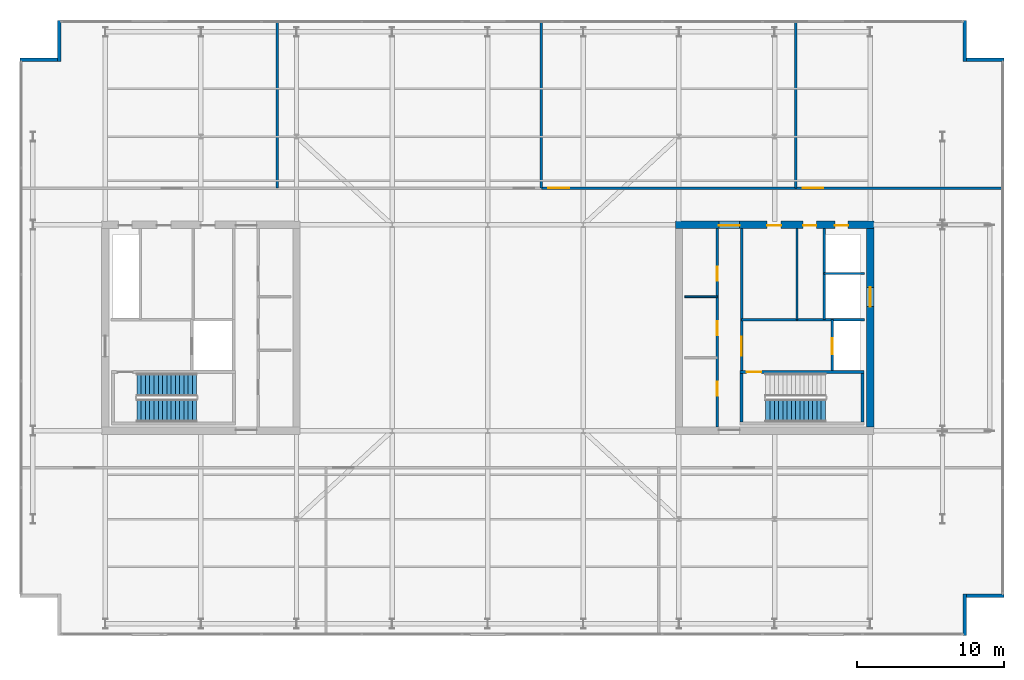
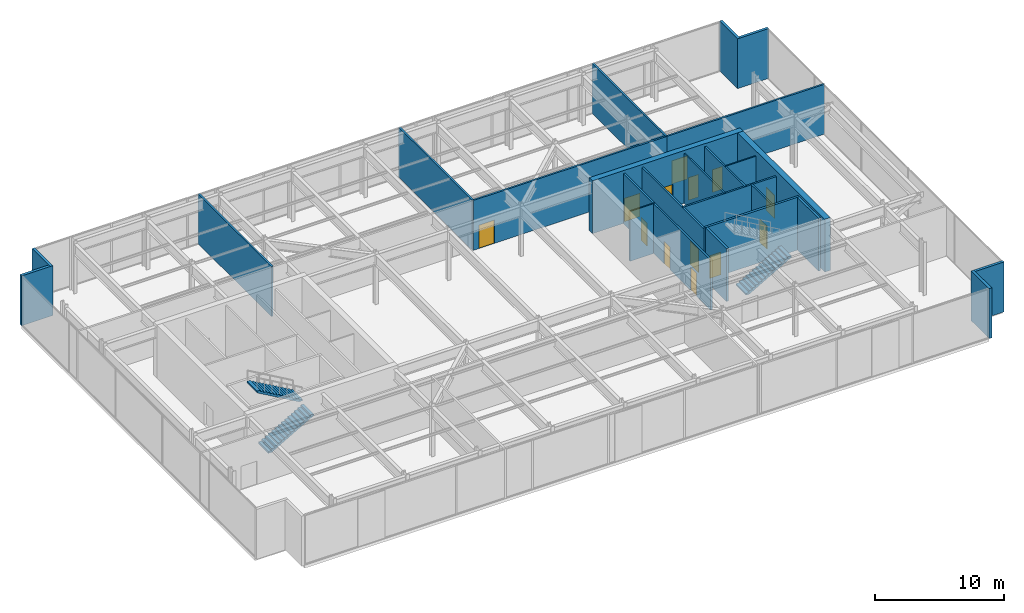
# One storey, part 19 of 23: 24 walls, 13 doors, 3 stair flights, 13 openings, 2 elements without a shape of their own.
"""IFC4 building model written with IfcOpenShell, lengths in metres."""

from ifc_helpers import new_model, si_unit, direction, frame, frame_2d, origin, place, context, subcontext, project, spatial, polyline, rectangle, outline, extrude, material, layer, layer_set, type_object, element, fill, aggregate, save


model = new_model("IFC4")

# Units and contexts
model_context = context("Model", 3, precision=1e-05, world=origin(), true_north=direction((0.0, 1.0)))
body_context = subcontext(model_context, "Body", "Model", "MODEL_VIEW")
ifc_project = project(units=[si_unit("LENGTHUNIT", "METRE"), si_unit("AREAUNIT", "SQUARE_METRE"), si_unit("VOLUMEUNIT", "CUBIC_METRE"), si_unit("PLANEANGLEUNIT", "RADIAN"), si_unit("MASSUNIT", "GRAM", prefix="KILO")], contexts=[model_context])

# Site, building, storey
site_placement = place(None, origin())
site = spatial("IfcSite", under=ifc_project, at=site_placement, CompositionType="ELEMENT")
building_placement = place(site_placement, origin())
building = spatial("IfcBuilding", under=site, at=building_placement, Name="Putna Gate Headquarters", CompositionType="ELEMENT")
storey_placement = place(building_placement, frame((0.0, 0.0, 310.39990234375)))
storey = spatial("IfcBuildingStorey", under=building, at=storey_placement, Name="L78", CompositionType="ELEMENT", Elevation=310.39990234375)

# Wall, openings, doors
ifc_material_1 = material(Name="Concrete C50/60", Category="concrete")
ifc_layer_1 = layer(ifc_material_1, 0.5)
ifc_layer_set_1 = layer_set([ifc_layer_1], Name="Concrete C50/60")
wall_type_1 = type_object("IfcWallType", Name="WALL-CORE-500", PredefinedType="SHEAR", material=ifc_layer_set_1)
wall_1_placement = place(storey_placement, frame((51.75, 33.0, 0.0), z_axis=(0.0, 0.0, 1.0), x_axis=(1.0, 0.0, 0.0)))
wall_1 = element("IfcWall", 1, at=wall_1_placement, inside=storey, type_object=wall_type_1, Name="L78 EC Split Core Shear Wall N", PredefinedType="SHEAR", context=body_context, shape_type="SweptSolid", body=[
    extrude(rectangle(XDim=13.5, YDim=0.5, at=frame_2d((6.75, 0.0))), origin(), (0.0, 0.0, 1.0), 5.0),
])
opening_1_placement = place(wall_1_placement, frame((2.969970703125, 0.0, 0.0)))
opening_1 = element("IfcOpeningElement", 2, at=opening_1_placement, cuts=wall_1, Name="Opening FDD-140", PredefinedType="OPENING", context=body_context, shape_type="SweptSolid", body=[
    extrude(rectangle(XDim=1.39990234375, YDim=2.199951171875, at=frame_2d((0.699951171875, 1.10009765625))), frame((0.0, 0.260009765625, 0.0), z_axis=(0.0, -1.0, 0.0), x_axis=(1.0, 0.0, 0.0)), (0.0, 0.0, 1.0), 0.52001953125),
])
opening_2_placement = place(wall_1_placement, frame((10.85009765625, 0.0, 0.0)))
opening_2 = element("IfcOpeningElement", 3, at=opening_2_placement, cuts=wall_1, Name="Opening RD-90", PredefinedType="OPENING", context=body_context, shape_type="SweptSolid", body=[
    extrude(rectangle(XDim=0.89990234375, YDim=2.14990234375, at=frame_2d((0.449951171875, 1.074951171875))), frame((0.0, 0.260009765625, 0.0), z_axis=(0.0, -1.0, 0.0), x_axis=(1.0, 0.0, 0.0)), (0.0, 0.0, 1.0), 0.52001953125),
])
opening_3_placement = place(wall_1_placement, frame((6.25, 0.0, 0.0)))
opening_3 = element("IfcOpeningElement", 4, at=opening_3_placement, cuts=wall_1, Name="Opening IDS-95", PredefinedType="OPENING", context=body_context, shape_type="SweptSolid", body=[
    extrude(rectangle(XDim=0.949951171875, YDim=2.14990234375, at=frame_2d((0.47509765625, 1.074951171875))), frame((0.0, 0.260009765625, 0.0), z_axis=(0.0, -1.0, 0.0), x_axis=(1.0, 0.0, 0.0)), (0.0, 0.0, 1.0), 0.52001953125),
])
opening_4_placement = place(wall_1_placement, frame((8.699951171875, 0.0, 0.0)))
opening_4 = element("IfcOpeningElement", 5, at=opening_4_placement, cuts=wall_1, Name="Opening IDS-90", PredefinedType="OPENING", context=body_context, shape_type="SweptSolid", body=[
    extrude(rectangle(XDim=0.89990234375, YDim=2.14990234375, at=frame_2d((0.449951171875, 1.074951171875))), frame((0.0, 0.260009765625, 0.0), z_axis=(0.0, -1.0, 0.0), x_axis=(1.0, 0.0, 0.0)), (0.0, 0.0, 1.0), 0.52001953125),
])
ifc_material_2 = material(Name="Double steel fire door", Category="steel")
door_type_1 = type_object("IfcDoorType", Name="DOOR-FIRE-DBL-1400", OperationType="DOUBLE_DOOR_SINGLE_SWING", PredefinedType="DOOR", material=ifc_material_2)
door_1_placement = place(opening_1_placement, origin())
door_1 = element("IfcDoor", 6, at=door_1_placement, inside=storey, type_object=door_type_1, Name="L78 East Lift Lobby North Door", OperationType="DOUBLE_DOOR_SINGLE_SWING", OverallHeight=2.199951171875, OverallWidth=1.39990234375, PredefinedType="DOOR", context=body_context, shape_type="SweptSolid", body=[
    extrude(rectangle(XDim=1.39990234375, YDim=2.199951171875, at=frame_2d((0.699951171875, 1.10009765625))), frame((0.0, -0.02490234375, 0.0), z_axis=(0.0, -1.0, 0.0), x_axis=(1.0, 0.0, 0.0)), (0.0, 0.0, 1.0), 0.050048828125),
])
fill(opening_1, door_1)
ifc_material_3 = material(Name="Fire-rated utility door")
door_type_2 = type_object("IfcDoorType", Name="DOOR-INT-900", OperationType="NOTDEFINED", PredefinedType="DOOR", material=ifc_material_3)
door_2_placement = place(opening_4_placement, origin())
door_2 = element("IfcDoor", 7, at=door_2_placement, inside=storey, type_object=door_type_2, Name="L78 Electrical Plant Door", OperationType="SINGLE_SWING_LEFT", OverallHeight=2.14990234375, OverallWidth=0.89990234375, PredefinedType="DOOR", context=body_context, shape_type="SweptSolid", body=[
    extrude(rectangle(XDim=0.89990234375, YDim=2.14990234375, at=frame_2d((0.449951171875, 1.074951171875))), frame((0.0, -0.02490234375, 0.0), z_axis=(0.0, -1.0, 0.0), x_axis=(1.0, 0.0, 0.0)), (0.0, 0.0, 1.0), 0.050048828125),
])
fill(opening_4, door_2)
ifc_material_4 = material(Name="Fire-rated service timber door", Category="wood")
door_type_3 = type_object("IfcDoorType", Name="DOOR-INT-950", OperationType="NOTDEFINED", PredefinedType="DOOR", material=ifc_material_4)
door_3_placement = place(opening_3_placement, origin())
door_3 = element("IfcDoor", 8, at=door_3_placement, inside=storey, type_object=door_type_3, Name="L78 East Store Door", OperationType="SINGLE_SWING_RIGHT", OverallHeight=2.14990234375, OverallWidth=0.949951171875, PredefinedType="DOOR", context=body_context, shape_type="SweptSolid", body=[
    extrude(rectangle(XDim=0.949951171875, YDim=2.14990234375, at=frame_2d((0.47509765625, 1.074951171875))), frame((0.0, -0.02490234375, 0.0), z_axis=(0.0, -1.0, 0.0), x_axis=(1.0, 0.0, 0.0)), (0.0, 0.0, 1.0), 0.050048828125),
])
fill(opening_3, door_3)
ifc_material_5 = material(Name="Steel riser access fire door", Category="steel")
door_type_4 = type_object("IfcDoorType", Name="DOOR-RISER-900", OperationType="NOTDEFINED", PredefinedType="DOOR", material=ifc_material_5)
door_4_placement = place(opening_2_placement, origin())
door_4 = element("IfcDoor", 9, at=door_4_placement, inside=storey, type_object=door_type_4, Name="L78 East Riser Access Door", OperationType="SINGLE_SWING_LEFT", OverallHeight=2.14990234375, OverallWidth=0.89990234375, PredefinedType="DOOR", context=body_context, shape_type="SweptSolid", body=[
    extrude(rectangle(XDim=0.89990234375, YDim=2.14990234375, at=frame_2d((0.449951171875, 1.074951171875))), frame((0.0, -0.02490234375, 0.0), z_axis=(0.0, -1.0, 0.0), x_axis=(1.0, 0.0, 0.0)), (0.0, 0.0, 1.0), 0.050048828125),
])
fill(opening_2, door_4)

# Wall, opening, door
wall_2_placement = place(storey_placement, frame((65.0, 19.25, 0.0), z_axis=(0.0, 0.0, 1.0), x_axis=(0.0, 1.0, 0.0)))
wall_2 = element("IfcWall", 10, at=wall_2_placement, inside=storey, type_object=wall_type_1, Name="L78 EC Split Core Shear Wall E", PredefinedType="SHEAR", context=body_context, shape_type="SweptSolid", body=[
    extrude(rectangle(XDim=13.5, YDim=0.5, at=frame_2d((6.75, 0.0))), origin(), (0.0, 0.0, 1.0), 5.0),
])
opening_5_placement = place(wall_2_placement, frame((8.199951171875, 0.0, 0.0)))
opening_5 = element("IfcOpeningElement", 11, at=opening_5_placement, cuts=wall_2, Name="Opening LD-2", PredefinedType="OPENING", context=body_context, shape_type="SweptSolid", body=[
    extrude(rectangle(XDim=1.300048828125, YDim=2.199951171875, at=frame_2d((0.64990234375, 1.10009765625))), frame((0.0, 0.260009765625, 0.0), z_axis=(0.0, -1.0, 0.0), x_axis=(1.0, 0.0, 0.0)), (0.0, 0.0, 1.0), 0.52001953125),
])
ifc_material_6 = material(Name="Heavy-duty goods lift sliding landing door")
door_type_5 = type_object("IfcDoorType", Name="DOOR-LIFT-1300", OperationType="DOUBLE_DOOR_SLIDING", PredefinedType="DOOR", material=ifc_material_6)
door_5_placement = place(opening_5_placement, origin())
door_5 = element("IfcDoor", 12, at=door_5_placement, inside=storey, type_object=door_type_5, Name="L78 Goods Lift Landing Door LD-15", OperationType="DOUBLE_DOOR_SLIDING", OverallHeight=2.199951171875, OverallWidth=1.300048828125, PredefinedType="DOOR", context=body_context, shape_type="SweptSolid", body=[
    extrude(rectangle(XDim=1.300048828125, YDim=2.199951171875, at=frame_2d((0.64990234375, 1.10009765625))), frame((0.0, 0.02490234375, 0.0), z_axis=(0.0, -1.0, 0.0), x_axis=(1.0, 0.0, 0.0)), (0.0, 0.0, 1.0), 0.050048828125),
])
fill(opening_5, door_5)

# Walls
ifc_material_7 = material(Name="Precast concrete C40/50", Category="concrete")
ifc_layer_2 = layer(ifc_material_7, 0.239990234375)
ifc_layer_set_2 = layer_set([ifc_layer_2], Name="Precast concrete C40/50")
wall_type_2 = type_object("IfcWallType", Name="WALL-EXT-TERR-240", PredefinedType="STANDARD", material=ifc_layer_set_2)
wall_3_placement = place(storey_placement, frame((9.8798828125, 44.10009765625, 0.0), z_axis=(0.0, 0.0, 1.0), x_axis=(0.0, 1.0, 0.0)))
element("IfcWall", 13, at=wall_3_placement, inside=storey, type_object=wall_type_2, Name="L78 Corner Notch Return Wall NW-V", PredefinedType="STANDARD", context=body_context, shape_type="SweptSolid", body=[
    extrude(rectangle(XDim=2.7998046875, YDim=0.239990234375, at=frame_2d((1.39990234375, 0.0))), origin(), (0.0, 0.0, 1.0), 4.72021484375),
])
wall_4_placement = place(storey_placement, frame((7.199951171875, 44.219970703125, 0.0), z_axis=(0.0, 0.0, 1.0), x_axis=(1.0, 0.0, 0.0)))
element("IfcWall", 14, at=wall_4_placement, inside=storey, type_object=wall_type_2, Name="L78 Corner Notch Return Wall NW-H", PredefinedType="STANDARD", context=body_context, shape_type="SweptSolid", body=[
    extrude(rectangle(XDim=2.800048828125, YDim=0.239990234375, at=frame_2d((1.39990234375, 0.0))), origin(), (0.0, 0.0, 1.0), 4.72021484375),
])
wall_5_placement = place(storey_placement, frame((71.419921875, 46.89990234375, 0.0), z_axis=(0.0, 0.0, 1.0), x_axis=(0.0, -1.0, 0.0)))
element("IfcWall", 15, at=wall_5_placement, inside=storey, type_object=wall_type_2, Name="L78 Corner Notch Return Wall NE-V", PredefinedType="STANDARD", context=body_context, shape_type="SweptSolid", body=[
    extrude(rectangle(XDim=2.7998046875, YDim=0.239990234375, at=frame_2d((1.39990234375, 0.0))), origin(), (0.0, 0.0, 1.0), 4.72021484375),
])
wall_6_placement = place(storey_placement, frame((71.300048828125, 44.219970703125, 0.0), z_axis=(0.0, 0.0, 1.0), x_axis=(1.0, 0.0, 0.0)))
element("IfcWall", 16, at=wall_6_placement, inside=storey, type_object=wall_type_2, Name="L78 Corner Notch Return Wall NE-H", PredefinedType="STANDARD", context=body_context, shape_type="SweptSolid", body=[
    extrude(rectangle(XDim=2.800048828125, YDim=0.239990234375, at=frame_2d((1.39990234375, 0.0))), origin(), (0.0, 0.0, 1.0), 4.72021484375),
])
wall_7_placement = place(storey_placement, frame((71.419921875, 7.89990234375, 0.0), z_axis=(0.0, 0.0, 1.0), x_axis=(0.0, -1.0, 0.0)))
element("IfcWall", 17, at=wall_7_placement, inside=storey, type_object=wall_type_2, Name="L78 Corner Notch Return Wall SE-V", PredefinedType="STANDARD", context=body_context, shape_type="SweptSolid", body=[
    extrude(rectangle(XDim=2.7998046875, YDim=0.239990234375, at=frame_2d((1.39990234375, 0.0))), origin(), (0.0, 0.0, 1.0), 4.72021484375),
])
wall_8_placement = place(storey_placement, frame((74.10009765625, 7.780029296875, 0.0), z_axis=(0.0, 0.0, 1.0), x_axis=(-1.0, 0.0, 0.0)))
element("IfcWall", 18, at=wall_8_placement, inside=storey, type_object=wall_type_2, Name="L78 Corner Notch Return Wall SE-H", PredefinedType="STANDARD", context=body_context, shape_type="SweptSolid", body=[
    extrude(rectangle(XDim=2.800048828125, YDim=0.239990234375, at=frame_2d((1.39990234375, 0.0))), origin(), (0.0, 0.0, 1.0), 4.72021484375),
])
ifc_material_8 = material(Name="Fire-rated shaftwall gypsum board on metal stud")
ifc_layer_3 = layer(ifc_material_8, 0.1201171875)
ifc_layer_set_3 = layer_set([ifc_layer_3], Name="Fire-rated shaftwall gypsum board on metal stud")
wall_type_3 = type_object("IfcWallType", Name="WALL-PART-120-EI120", PredefinedType="PARTITIONING", material=ifc_layer_set_3)
wall_9_placement = place(storey_placement, frame((61.8701171875, 29.699951171875, 0.0), z_axis=(0.0, 0.0, 1.0), x_axis=(1.0, 0.0, 0.0)))
element("IfcWall", 19, at=wall_9_placement, inside=storey, type_object=wall_type_3, Name="L78 Interior Wall CWINT-L78-EC-LF15-N", PredefinedType="PARTITIONING", context=body_context, shape_type="SweptSolid", body=[
    extrude(rectangle(XDim=2.72998046875, YDim=0.1201171875, at=frame_2d((1.364990234375, 0.0))), origin(), (0.0, 0.0, 1.0), 4.72021484375),
])
ifc_material_9 = material(Name="Fire-rated gypsum board on metal stud")
ifc_layer_4 = layer(ifc_material_9, 0.1201171875)
ifc_layer_set_4 = layer_set([ifc_layer_4], Name="Fire-rated gypsum board on metal stud")
wall_type_4 = type_object("IfcWallType", Name="WALL-PART-120-RATED", PredefinedType="PARTITIONING", material=ifc_layer_set_4)
wall_10_placement = place(storey_placement, frame((52.39990234375, 28.1201171875, 0.0), z_axis=(0.0, 0.0, 1.0), x_axis=(1.0, 0.0, 0.0)))
element("IfcWall", 20, at=wall_10_placement, inside=storey, type_object=wall_type_4, Name="L78 Interior Wall CWINT-L78-EC-LF08-DIV", PredefinedType="PARTITIONING", context=body_context, shape_type="SweptSolid", body=[
    extrude(rectangle(XDim=2.2001953125, YDim=0.1201171875, at=frame_2d((1.10009765625, 0.0))), origin(), (0.0, 0.0, 1.0), 4.72021484375),
])
wall_11_placement = place(storey_placement, frame((60.02001953125, 26.56005859375, 0.0), z_axis=(0.0, 0.0, 1.0), x_axis=(0.0, 1.0, 0.0)))
element("IfcWall", 21, at=wall_11_placement, inside=storey, type_object=wall_type_4, Name="L78 Interior Wall CWINT-L78-EC-K0-DIV", PredefinedType="PARTITIONING", context=body_context, shape_type="SweptSolid", body=[
    extrude(rectangle(XDim=6.18994140625, YDim=0.1201171875, at=frame_2d((3.094970703125, 0.0))), origin(), (0.0, 0.0, 1.0), 4.72021484375),
])

# Wall, openings, doors
ifc_material_10 = material(Name="Concrete C40/50", Category="concrete")
ifc_layer_5 = layer(ifc_material_10, 0.159912109375)
ifc_layer_set_5 = layer_set([ifc_layer_5], Name="Concrete C40/50")
wall_type_5 = type_object("IfcWallType", Name="WALL-SHAFT-160", PredefinedType="STANDARD", material=ifc_layer_set_5)
wall_12_placement = place(storey_placement, frame((54.60009765625, 19.25, 0.0), z_axis=(0.0, 0.0, 1.0), x_axis=(0.0, 1.0, 0.0)))
wall_12 = element("IfcWall", 22, at=wall_12_placement, inside=storey, type_object=wall_type_5, Name="L78 Interior Wall CWINT-L78-EC-PL-WALL", PredefinedType="STANDARD", context=body_context, shape_type="SweptSolid", body=[
    extrude(rectangle(XDim=13.5, YDim=0.159912109375, at=frame_2d((6.75, 0.0))), origin(), (0.0, 0.0, 1.0), 4.72021484375),
])
opening_6_placement = place(wall_12_placement, frame((2.14990234375, 0.0, 0.0)))
opening_6 = element("IfcOpeningElement", 23, at=opening_6_placement, cuts=wall_12, Name="Opening IDS-95", PredefinedType="OPENING", context=body_context, shape_type="SweptSolid", body=[
    extrude(rectangle(XDim=0.949951171875, YDim=2.14990234375, at=frame_2d((0.47509765625, 1.074951171875))), frame((0.0, 0.08984375, 0.0), z_axis=(0.0, -1.0, 0.0), x_axis=(1.0, 0.0, 0.0)), (0.0, 0.0, 1.0), 0.179931640625),
])
opening_7_placement = place(wall_12_placement, frame((6.25, 0.0, 0.0)))
opening_7 = element("IfcOpeningElement", 24, at=opening_7_placement, cuts=wall_12, Name="Opening IDS-95", PredefinedType="OPENING", context=body_context, shape_type="SweptSolid", body=[
    extrude(rectangle(XDim=0.949951171875, YDim=2.14990234375, at=frame_2d((0.47509765625, 1.074951171875))), frame((0.0, 0.08984375, 0.0), z_axis=(0.0, -1.0, 0.0), x_axis=(1.0, 0.0, 0.0)), (0.0, 0.0, 1.0), 0.179931640625),
])
opening_8_placement = place(wall_12_placement, frame((9.949951171875, 0.0, 0.0)))
opening_8 = element("IfcOpeningElement", 25, at=opening_8_placement, cuts=wall_12, Name="Opening IDS-95F", PredefinedType="OPENING", context=body_context, shape_type="SweptSolid", body=[
    extrude(rectangle(XDim=0.949951171875, YDim=2.14990234375, at=frame_2d((0.47509765625, 1.074951171875))), frame((0.0, 0.08984375, 0.0), z_axis=(0.0, -1.0, 0.0), x_axis=(1.0, 0.0, 0.0)), (0.0, 0.0, 1.0), 0.179931640625),
])
door_6_placement = place(opening_6_placement, origin())
door_6 = element("IfcDoor", 26, at=door_6_placement, inside=storey, type_object=door_type_3, Name="L78 Executive Archive Door", OperationType="SINGLE_SWING_RIGHT", OverallHeight=2.14990234375, OverallWidth=0.949951171875, PredefinedType="DOOR", context=body_context, shape_type="SweptSolid", body=[
    extrude(rectangle(XDim=0.949951171875, YDim=2.14990234375, at=frame_2d((0.47509765625, 1.074951171875))), frame((0.0, 0.02490234375, 0.0), z_axis=(0.0, -1.0, 0.0), x_axis=(1.0, 0.0, 0.0)), (0.0, 0.0, 1.0), 0.050048828125),
])
fill(opening_6, door_6)
door_7_placement = place(opening_7_placement, origin())
door_7 = element("IfcDoor", 27, at=door_7_placement, inside=storey, type_object=door_type_3, Name="L78 Comms Distribution Door", OperationType="SINGLE_SWING_LEFT", OverallHeight=2.14990234375, OverallWidth=0.949951171875, PredefinedType="DOOR", context=body_context, shape_type="SweptSolid", body=[
    extrude(rectangle(XDim=0.949951171875, YDim=2.14990234375, at=frame_2d((0.47509765625, 1.074951171875))), frame((0.0, 0.02490234375, 0.0), z_axis=(0.0, -1.0, 0.0), x_axis=(1.0, 0.0, 0.0)), (0.0, 0.0, 1.0), 0.050048828125),
])
fill(opening_7, door_7)
ifc_material_11 = material(Name="Steel-faced fire door", Category="steel")
door_type_6 = type_object("IfcDoorType", Name="DOOR-INT-950-EI90", OperationType="NOTDEFINED", PredefinedType="DOOR", material=ifc_material_11)
door_8_placement = place(opening_8_placement, origin())
door_8 = element("IfcDoor", 28, at=door_8_placement, inside=storey, type_object=door_type_6, Name="L78 Hoistway Machinery East Door", OperationType="SINGLE_SWING_RIGHT", OverallHeight=2.14990234375, OverallWidth=0.949951171875, PredefinedType="DOOR", context=body_context, shape_type="SweptSolid", body=[
    extrude(rectangle(XDim=0.949951171875, YDim=2.14990234375, at=frame_2d((0.47509765625, 1.074951171875))), frame((0.0, 0.02490234375, 0.0), z_axis=(0.0, -1.0, 0.0), x_axis=(1.0, 0.0, 0.0)), (0.0, 0.0, 1.0), 0.050048828125),
])
fill(opening_8, door_8)

# Wall, opening, door
wall_13_placement = place(storey_placement, frame((56.260009765625, 23.090087890625, 0.0), z_axis=(0.0, 0.0, 1.0), x_axis=(0.0, 1.0, 0.0)))
wall_13 = element("IfcWall", 29, at=wall_13_placement, inside=storey, type_object=wall_type_5, Name="L78 Interior Wall CWINT-L78-EC-LOB-E", PredefinedType="STANDARD", context=body_context, shape_type="SweptSolid", body=[
    extrude(rectangle(XDim=9.659912109375, YDim=0.159912109375, at=frame_2d((4.830078125, 0.0))), origin(), (0.0, 0.0, 1.0), 4.72021484375),
])
opening_9_placement = place(wall_13_placement, frame((1.010009765625, 0.0, 0.0)))
opening_9 = element("IfcOpeningElement", 30, at=opening_9_placement, cuts=wall_13, Name="Opening FDD-130", PredefinedType="OPENING", context=body_context, shape_type="SweptSolid", body=[
    extrude(rectangle(XDim=1.300048828125, YDim=2.199951171875, at=frame_2d((0.64990234375, 1.10009765625))), frame((0.0, 0.08984375, 0.0), z_axis=(0.0, -1.0, 0.0), x_axis=(1.0, 0.0, 0.0)), (0.0, 0.0, 1.0), 0.179931640625),
])
ifc_material_12 = material(Name="Double steel lobby fire door", Category="steel")
door_type_7 = type_object("IfcDoorType", Name="DOOR-FIRE-DBL-1300", OperationType="DOUBLE_DOOR_SINGLE_SWING", PredefinedType="DOOR", material=ifc_material_12)
door_9_placement = place(opening_9_placement, origin())
door_9 = element("IfcDoor", 31, at=door_9_placement, inside=storey, type_object=door_type_7, Name="L78 East Firefighting Lobby Door", OperationType="DOUBLE_DOOR_SINGLE_SWING", OverallHeight=2.199951171875, OverallWidth=1.300048828125, PredefinedType="DOOR", context=body_context, shape_type="SweptSolid", body=[
    extrude(rectangle(XDim=1.300048828125, YDim=2.199951171875, at=frame_2d((0.64990234375, 1.10009765625))), frame((0.0, 0.02490234375, 0.0), z_axis=(0.0, -1.0, 0.0), x_axis=(1.0, 0.0, 0.0)), (0.0, 0.0, 1.0), 0.050048828125),
])
fill(opening_9, door_9)

wall_14_placement = place(storey_placement, frame((62.429931640625, 23.090087890625, 0.0), z_axis=(0.0, 0.0, 1.0), x_axis=(0.0, 1.0, 0.0)))
wall_14 = element("IfcWall", 32, at=wall_14_placement, inside=storey, type_object=wall_type_5, Name="L78 Interior Wall CWINT-L78-EC-LF14-W", PredefinedType="STANDARD", context=body_context, shape_type="SweptSolid", body=[
    extrude(rectangle(XDim=3.469970703125, YDim=0.159912109375, at=frame_2d((1.73486328125, 0.0))), origin(), (0.0, 0.0, 1.0), 4.72021484375),
])
opening_10_placement = place(wall_14_placement, frame((1.10009765625, 0.0, 0.0)))
opening_10 = element("IfcOpeningElement", 33, at=opening_10_placement, cuts=wall_14, Name="Opening LD-1", PredefinedType="OPENING", context=body_context, shape_type="SweptSolid", body=[
    extrude(rectangle(XDim=1.10009765625, YDim=2.199951171875, at=frame_2d((0.550048828125, 1.10009765625))), frame((0.0, 0.08984375, 0.0), z_axis=(0.0, -1.0, 0.0), x_axis=(1.0, 0.0, 0.0)), (0.0, 0.0, 1.0), 0.179931640625),
])
ifc_material_13 = material(Name="Brushed bronze stainless lift landing door")
door_type_8 = type_object("IfcDoorType", Name="DOOR-LIFT-1100", OperationType="DOUBLE_DOOR_SLIDING", PredefinedType="DOOR", material=ifc_material_13)
door_10_placement = place(opening_10_placement, origin())
door_10 = element("IfcDoor", 34, at=door_10_placement, inside=storey, type_object=door_type_8, Name="L78 Lift Landing Door LD-14", OperationType="DOUBLE_DOOR_SLIDING", OverallHeight=2.199951171875, OverallWidth=1.10009765625, PredefinedType="DOOR", context=body_context, shape_type="SweptSolid", body=[
    extrude(rectangle(XDim=1.10009765625, YDim=2.199951171875, at=frame_2d((0.550048828125, 1.10009765625))), frame((0.0, 0.02490234375, 0.0), z_axis=(0.0, -1.0, 0.0), x_axis=(1.0, 0.0, 0.0)), (0.0, 0.0, 1.0), 0.050048828125),
])
fill(opening_10, door_10)

# Walls
wall_15_placement = place(storey_placement, frame((56.260009765625, 26.56005859375, 0.0), z_axis=(0.0, 0.0, 1.0), x_axis=(1.0, 0.0, 0.0)))
element("IfcWall", 35, at=wall_15_placement, inside=storey, type_object=wall_type_5, Name="L78 Interior Wall CWINT-L78-EC-FFL-N", PredefinedType="STANDARD", context=body_context, shape_type="SweptSolid", body=[
    extrude(rectangle(XDim=8.340087890625, YDim=0.159912109375, at=frame_2d((4.169921875, 0.0))), origin(), (0.0, 0.0, 1.0), 4.72021484375),
])
wall_16_placement = place(storey_placement, frame((61.8701171875, 26.56005859375, 0.0), z_axis=(0.0, 0.0, 1.0), x_axis=(0.0, 1.0, 0.0)))
element("IfcWall", 36, at=wall_16_placement, inside=storey, type_object=wall_type_5, Name="L78 Interior Wall CWINT-L78-EC-LF15-W", PredefinedType="STANDARD", context=body_context, shape_type="SweptSolid", body=[
    extrude(rectangle(XDim=6.18994140625, YDim=0.159912109375, at=frame_2d((3.094970703125, 0.0))), origin(), (0.0, 0.0, 1.0), 4.72021484375),
])
for number, where, z_axis, x_axis, name in (
    (37, (24.680419921875, 35.5, 0.0), (0.0, 0.0, 1.0), (0.0, 1.0, 0.0), "L78 Interior Wall PART-L78-PN-DIV1"),
    (38, (42.646240234375, 35.5, 0.0), (0.0, 0.0, 1.0), (0.0, 1.0, 0.0), "L78 Interior Wall PART-L78-PN-DIV2"),
    (39, (59.946533203125, 35.5, 0.0), (0.0, 0.0, 1.0), (0.0, 1.0, 0.0), "L78 Interior Wall PART-L78-PN-DIV3"),
):
    element("IfcWall", number, at=place(storey_placement, frame(where, z_axis=z_axis, x_axis=x_axis)), inside=storey, type_object=wall_type_5, Name=name, PredefinedType="STANDARD", context=body_context, shape_type="SweptSolid", body=[
        extrude(rectangle(XDim=11.3798828125, YDim=0.159912109375, at=frame_2d((5.68994140625, 0.0))), origin(), (0.0, 0.0, 1.0), 4.72021484375),
    ])

# Wall, opening, door
wall_17_placement = place(storey_placement, frame((42.646240234375, 35.5, 0.0), z_axis=(0.0, 0.0, 1.0), x_axis=(1.0, 0.0, 0.0)))
wall_17 = element("IfcWall", 40, at=wall_17_placement, inside=storey, type_object=wall_type_5, Name="L78 Interior Wall PART-L78-PN-CW3", PredefinedType="STANDARD", context=body_context, shape_type="SweptSolid", body=[
    extrude(rectangle(XDim=17.30029296875, YDim=0.159912109375, at=frame_2d((8.650146484375, 0.0))), origin(), (0.0, 0.0, 1.0), 4.72021484375),
])
opening_11_placement = place(wall_17_placement, frame((0.47998046875, 0.0, 0.0)))
opening_11 = element("IfcOpeningElement", 41, at=opening_11_placement, cuts=wall_17, Name="Opening FDD-140", PredefinedType="OPENING", context=body_context, shape_type="SweptSolid", body=[
    extrude(rectangle(XDim=1.39990234375, YDim=2.199951171875, at=frame_2d((0.699951171875, 1.10009765625))), frame((0.0, 0.08984375, 0.0), z_axis=(0.0, -1.0, 0.0), x_axis=(1.0, 0.0, 0.0)), (0.0, 0.0, 1.0), 0.179931640625),
])
door_11_placement = place(opening_11_placement, origin())
door_11 = element("IfcDoor", 42, at=door_11_placement, inside=storey, type_object=door_type_1, Name="L78 HV and LV Switchgear Plant Room Door", OperationType="DOUBLE_DOOR_SINGLE_SWING", OverallHeight=2.199951171875, OverallWidth=1.39990234375, PredefinedType="DOOR", context=body_context, shape_type="SweptSolid", body=[
    extrude(rectangle(XDim=1.39990234375, YDim=2.199951171875, at=frame_2d((0.699951171875, 1.10009765625))), frame((0.0, 0.02490234375, 0.0), z_axis=(0.0, -1.0, 0.0), x_axis=(1.0, 0.0, 0.0)), (0.0, 0.0, 1.0), 0.050048828125),
])
fill(opening_11, door_11)

wall_18_placement = place(storey_placement, frame((59.946533203125, 35.5, 0.0), z_axis=(0.0, 0.0, 1.0), x_axis=(1.0, 0.0, 0.0)))
wall_18 = element("IfcWall", 43, at=wall_18_placement, inside=storey, type_object=wall_type_5, Name="L78 Interior Wall PART-L78-PN-CW4", PredefinedType="STANDARD", context=body_context, shape_type="SweptSolid", body=[
    extrude(rectangle(XDim=14.133544921875, YDim=0.159912109375, at=frame_2d((7.06689453125, 0.0))), origin(), (0.0, 0.0, 1.0), 4.72021484375),
])
opening_12_placement = place(wall_18_placement, frame((0.47998046875, 0.0, 0.0)))
opening_12 = element("IfcOpeningElement", 44, at=opening_12_placement, cuts=wall_18, Name="Opening FDD-140", PredefinedType="OPENING", context=body_context, shape_type="SweptSolid", body=[
    extrude(rectangle(XDim=1.39990234375, YDim=2.199951171875, at=frame_2d((0.699951171875, 1.10009765625))), frame((0.0, 0.08984375, 0.0), z_axis=(0.0, -1.0, 0.0), x_axis=(1.0, 0.0, 0.0)), (0.0, 0.0, 1.0), 0.179931640625),
])
door_12_placement = place(opening_12_placement, origin())
door_12 = element("IfcDoor", 45, at=door_12_placement, inside=storey, type_object=door_type_1, Name="L78 BMS and Telecoms Control Plant Room Door", OperationType="DOUBLE_DOOR_SINGLE_SWING", OverallHeight=2.199951171875, OverallWidth=1.39990234375, PredefinedType="DOOR", context=body_context, shape_type="SweptSolid", body=[
    extrude(rectangle(XDim=1.39990234375, YDim=2.199951171875, at=frame_2d((0.699951171875, 1.10009765625))), frame((0.0, 0.02490234375, 0.0), z_axis=(0.0, -1.0, 0.0), x_axis=(1.0, 0.0, 0.0)), (0.0, 0.0, 1.0), 0.050048828125),
])
fill(opening_12, door_12)

ifc_layer_6 = layer(ifc_material_10, 0.199951171875)
ifc_layer_set_6 = layer_set([ifc_layer_6], Name="Concrete C40/50")
wall_type_6 = type_object("IfcWallType", Name="WALL-SHAFT-RC200", PredefinedType="SHEAR", material=ifc_layer_set_6)
wall_19_placement = place(storey_placement, frame((56.159912109375, 22.989990234375, 0.0), z_axis=(0.0, 0.0, 1.0), x_axis=(1.0, 0.0, 0.0)))
wall_19 = element("IfcWall", 46, at=wall_19_placement, inside=storey, type_object=wall_type_6, Name="L78 Stair ST2 Structural Shaft Wall N", PredefinedType="SHEAR", context=body_context, shape_type="SweptSolid", body=[
    extrude(rectangle(XDim=8.43017578125, YDim=0.199951171875, at=frame_2d((4.215087890625, 0.0))), origin(), (0.0, 0.0, 1.0), 5.0),
])
opening_13_placement = place(wall_19_placement, frame((0.449951171875, 0.0, 0.0)))
opening_13 = element("IfcOpeningElement", 47, at=opening_13_placement, cuts=wall_19, Name="Opening FD-100", PredefinedType="OPENING", context=body_context, shape_type="SweptSolid", body=[
    extrude(rectangle(XDim=1.0, YDim=2.14990234375, at=frame_2d((0.5, 1.074951171875))), frame((0.0, 0.10986328125, 0.0), z_axis=(0.0, -1.0, 0.0), x_axis=(1.0, 0.0, 0.0)), (0.0, 0.0, 1.0), 0.219970703125),
])
ifc_material_14 = material(Name="Powder-coated steel fire door", Category="steel")
door_type_9 = type_object("IfcDoorType", Name="DOOR-FIRE-1000", OperationType="NOTDEFINED", PredefinedType="DOOR", material=ifc_material_14)
door_13_placement = place(opening_13_placement, origin())
door_13 = element("IfcDoor", 48, at=door_13_placement, inside=storey, type_object=door_type_9, Name="L78 Stair ST2 Fire Door", OperationType="SINGLE_SWING_RIGHT", OverallHeight=2.14990234375, OverallWidth=1.0, PredefinedType="DOOR", context=body_context, shape_type="SweptSolid", body=[
    extrude(rectangle(XDim=1.0, YDim=2.14990234375, at=frame_2d((0.5, 1.074951171875))), frame((0.0, 0.02490234375, 0.0), z_axis=(0.0, -1.0, 0.0), x_axis=(1.0, 0.0, 0.0)), (0.0, 0.0, 1.0), 0.050048828125),
])
fill(opening_13, door_13)

# Walls
for number, where, z_axis, x_axis, name in (
    (49, (56.260009765625, 19.610107421875, 0.0), (0.0, 0.0, 1.0), (0.0, 1.0, 0.0), "L78 Stair ST2 Structural Shaft Wall W"),
    (50, (64.489990234375, 19.610107421875, 0.0), (0.0, 0.0, 1.0), (0.0, 1.0, 0.0), "L78 Stair ST2 Structural Shaft Wall E"),
):
    element("IfcWall", number, at=place(storey_placement, frame(where, z_axis=z_axis, x_axis=x_axis)), inside=storey, type_object=wall_type_6, Name=name, PredefinedType="SHEAR", context=body_context, shape_type="SweptSolid", body=[
        extrude(rectangle(XDim=3.27978515625, YDim=0.199951171875, at=frame_2d((1.639892578125, 0.0))), origin(), (0.0, 0.0, 1.0), 5.0),
    ])

# Stair, stair flights
stair_type_1 = type_object("IfcStairType", Name="STAIR-ST1", PredefinedType="HALF_TURN_STAIR", material=ifc_material_10)
stair_1_placement = place(storey_placement, origin())
stair_1 = element("IfcStair", 51, at=stair_1_placement, inside=storey, type_object=stair_type_1, Name="L78 West Core Exit Stair ST1", PredefinedType="HALF_TURN_STAIR")
stair_flight_type_1 = type_object("IfcStairFlightType", Name="FLIGHT-ST1", PredefinedType="STRAIGHT", material=ifc_material_10)
stair_flight_1_placement = place(storey_placement, frame((15.14990234375, 20.375, 0.0), z_axis=(0.0, 0.0, 1.0), x_axis=(1.0, 0.0, 0.0)))
stair_flight_1 = element("IfcStairFlight", 52, at=stair_flight_1_placement, type_object=stair_flight_type_1, Name="ST1 flight 1", NumberOfRisers=15, NumberOfTreads=14, PredefinedType="STRAIGHT", RiserHeight=0.166666667, TreadLength=0.29, context=body_context, shape_type="SweptSolid", body=[
    extrude(outline(polyline([(0.0, 0.0), (0.0, 0.166748046875), (0.2900390625, 0.166748046875), (0.2900390625, 0.333251953125), (0.580078125, 0.333251953125), (0.580078125, 0.5), (0.8701171875, 0.5), (0.8701171875, 0.666748046875), (1.159912109375, 0.666748046875), (1.159912109375, 0.833251953125), (1.449951171875, 0.833251953125), (1.449951171875, 1.0), (1.739990234375, 1.0), (1.739990234375, 1.166748046875), (2.030029296875, 1.166748046875), (2.030029296875, 1.333251953125), (2.320068359375, 1.333251953125), (2.320068359375, 1.5), (2.610107421875, 1.5), (2.610107421875, 1.666748046875), (2.89990234375, 1.666748046875), (2.89990234375, 1.833251953125), (3.18994140625, 1.833251953125), (3.18994140625, 2.0), (3.47998046875, 2.0), (3.47998046875, 2.166748046875), (3.77001953125, 2.166748046875), (3.77001953125, 2.333251953125), (4.06005859375, 2.333251953125), (4.06005859375, 2.5), (4.06005859375, 2.160400390625), (0.30078125, 0.0), (0.0, 0.0)])), frame((0.0, 0.77490234375, 0.0), z_axis=(0.0, -1.0, 0.0), x_axis=(1.0, 0.0, 0.0)), (0.0, 0.0, 1.0), 1.550048828125),
])
stair_flight_2_placement = place(storey_placement, frame((19.2099609375, 22.125, 2.5), z_axis=(0.0, 0.0, 1.0), x_axis=(-1.0, 0.0, 0.0)))
stair_flight_2 = element("IfcStairFlight", 53, at=stair_flight_2_placement, type_object=stair_flight_type_1, Name="ST1 flight 2", NumberOfRisers=15, NumberOfTreads=14, PredefinedType="STRAIGHT", RiserHeight=0.166666667, TreadLength=0.29, context=body_context, shape_type="SweptSolid", body=[
    extrude(outline(polyline([(0.0, 0.0), (0.0, 0.166748046875), (0.2900390625, 0.166748046875), (0.2900390625, 0.333251953125), (0.580078125, 0.333251953125), (0.580078125, 0.5), (0.8701171875, 0.5), (0.8701171875, 0.666748046875), (1.159912109375, 0.666748046875), (1.159912109375, 0.833251953125), (1.449951171875, 0.833251953125), (1.449951171875, 1.0), (1.739990234375, 1.0), (1.739990234375, 1.166748046875), (2.030029296875, 1.166748046875), (2.030029296875, 1.333251953125), (2.320068359375, 1.333251953125), (2.320068359375, 1.5), (2.610107421875, 1.5), (2.610107421875, 1.666748046875), (2.89990234375, 1.666748046875), (2.89990234375, 1.833251953125), (3.18994140625, 1.833251953125), (3.18994140625, 2.0), (3.47998046875, 2.0), (3.47998046875, 2.166748046875), (3.77001953125, 2.166748046875), (3.77001953125, 2.333251953125), (4.06005859375, 2.333251953125), (4.06005859375, 2.5), (4.06005859375, 2.160400390625), (0.30078125, 0.0), (0.0, 0.0)])), frame((0.0, 0.77490234375, 0.0), z_axis=(0.0, -1.0, 0.0), x_axis=(1.0, 0.0, 0.0)), (0.0, 0.0, 1.0), 1.550048828125),
])
aggregate(stair_1, [stair_flight_1, stair_flight_2])

# Stair, stair flight
stair_type_2 = type_object("IfcStairType", Name="STAIR-ST2", PredefinedType="HALF_TURN_STAIR", material=ifc_material_10)
stair_2_placement = place(storey_placement, origin())
stair_2 = element("IfcStair", 54, at=stair_2_placement, inside=storey, type_object=stair_type_2, Name="L78 East Core Exit Stair ST2", PredefinedType="HALF_TURN_STAIR")
stair_flight_type_2 = type_object("IfcStairFlightType", Name="FLIGHT-ST2", PredefinedType="STRAIGHT", material=ifc_material_10)
stair_flight_3_placement = place(storey_placement, frame((57.89990234375, 20.375, 0.0), z_axis=(0.0, 0.0, 1.0), x_axis=(1.0, 0.0, 0.0)))
stair_flight_3 = element("IfcStairFlight", 55, at=stair_flight_3_placement, type_object=stair_flight_type_2, Name="ST2 flight 1", NumberOfRisers=15, NumberOfTreads=14, PredefinedType="STRAIGHT", RiserHeight=0.166666667, TreadLength=0.29, context=body_context, shape_type="SweptSolid", body=[
    extrude(outline(polyline([(0.0, 0.0), (0.0, 0.166748046875), (0.2900390625, 0.166748046875), (0.2900390625, 0.333251953125), (0.580078125, 0.333251953125), (0.580078125, 0.5), (0.8701171875, 0.5), (0.8701171875, 0.666748046875), (1.159912109375, 0.666748046875), (1.159912109375, 0.833251953125), (1.449951171875, 0.833251953125), (1.449951171875, 1.0), (1.739990234375, 1.0), (1.739990234375, 1.166748046875), (2.030029296875, 1.166748046875), (2.030029296875, 1.333251953125), (2.320068359375, 1.333251953125), (2.320068359375, 1.5), (2.610107421875, 1.5), (2.610107421875, 1.666748046875), (2.89990234375, 1.666748046875), (2.89990234375, 1.833251953125), (3.18994140625, 1.833251953125), (3.18994140625, 2.0), (3.47998046875, 2.0), (3.47998046875, 2.166748046875), (3.77001953125, 2.166748046875), (3.77001953125, 2.333251953125), (4.06005859375, 2.333251953125), (4.06005859375, 2.5), (4.06005859375, 2.160400390625), (0.30078125, 0.0), (0.0, 0.0)])), frame((0.0, 0.77490234375, 0.0), z_axis=(0.0, -1.0, 0.0), x_axis=(1.0, 0.0, 0.0)), (0.0, 0.0, 1.0), 1.550048828125),
])
aggregate(stair_2, [stair_flight_3])

save(model, "model.ifc")
